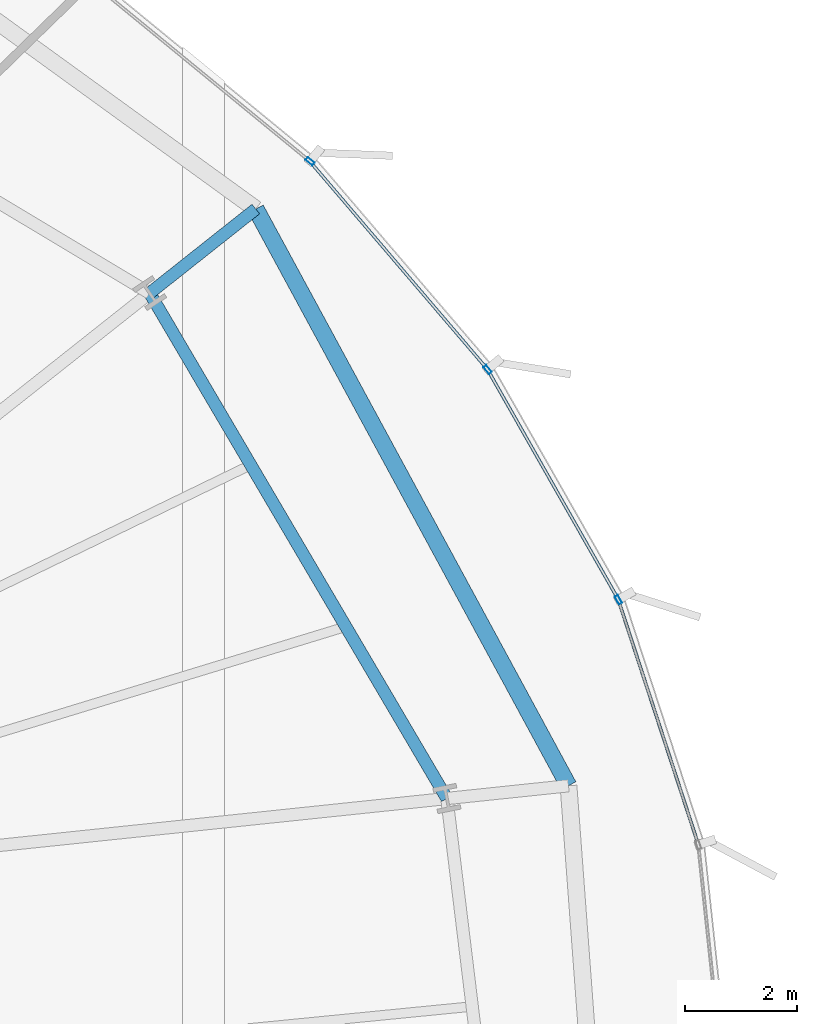
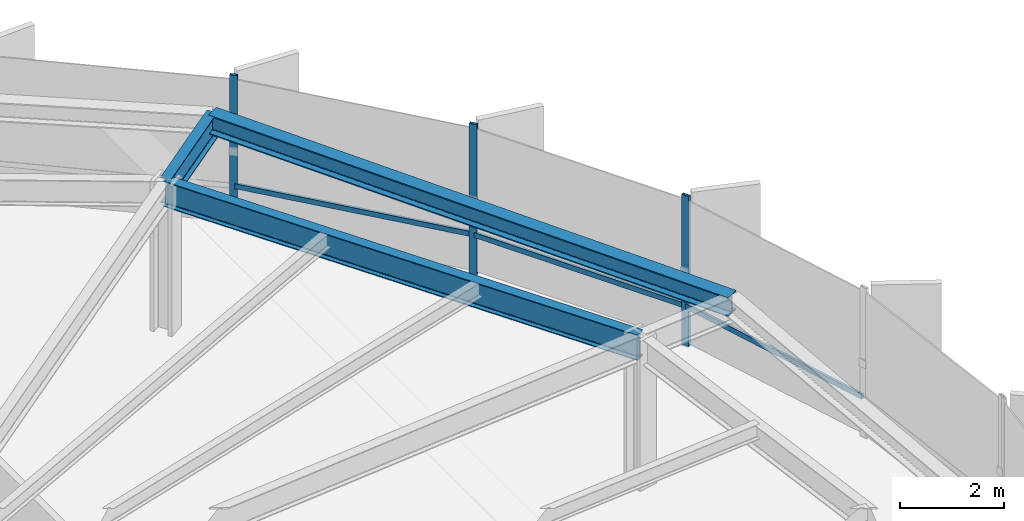
# One storey, part 25 of 38: 6 members, 3 beams, 1 element without a shape of its own.
"""IFC4 building model written with IfcOpenShell, lengths in metres."""

from ifc_helpers import new_model, si_unit, direction, frame, origin, origin_2d, place, context, subcontext, project, spatial, hollow_rectangle, i_section, extrude, source, transform, mapped, material, layer, layer_set, material_profile, profile_set, type_object, element, aggregate, save


model = new_model("IFC4")

# Units and contexts
model_context = context("Model", 3, precision=1e-05, world=origin(), true_north=direction((0.0, 1.0)))
body_context = subcontext(model_context, "Body", "Model", "MODEL_VIEW")
ifc_project = project(units=[si_unit("LENGTHUNIT", "METRE"), si_unit("AREAUNIT", "SQUARE_METRE"), si_unit("VOLUMEUNIT", "CUBIC_METRE"), si_unit("PLANEANGLEUNIT", "RADIAN"), si_unit("MASSUNIT", "GRAM", prefix="KILO"), si_unit("THERMODYNAMICTEMPERATUREUNIT", "KELVIN")], contexts=[model_context])

# Site, building, storey
site_placement = place(None, origin())
site = spatial("IfcSite", under=ifc_project, at=site_placement, CompositionType="ELEMENT")
building_placement = place(site_placement, origin())
building = spatial("IfcBuilding", under=site, at=building_placement, Name="Kethvar Cultural Tower", CompositionType="ELEMENT")
storey_placement = place(building_placement, frame((0.0, 0.0, 29.60009765625)))
storey = spatial("IfcBuildingStorey", under=building, at=storey_placement, Name="L06", CompositionType="ELEMENT", Elevation=29.60009765625)

# Beams
ifc_material_1 = material(Name="Steel S355J2", Category="steel")
ifc_material_profile_1 = material_profile(ifc_material_1, i_section(OverallWidth=0.219970703125, OverallDepth=0.60009765625, WebThickness=0.011962890625, FlangeThickness=0.01904296875, FilletRadius=0.02392578125, at=origin_2d()), Name="Steel S355J2 — IPE600")
ifc_profile_set_1 = profile_set([ifc_material_profile_1], Name="Steel S355J2 — IPE600")
beam_type_1 = type_object("IfcBeamType", Name="BM-IPE600", PredefinedType="BEAM", material=ifc_profile_set_1)
shared_shape_1 = source(origin(), body_context, "Body", "SweptSolid", [
    extrude(i_section(OverallWidth=0.219970703125, OverallDepth=0.60009765625, WebThickness=0.011962890625, FlangeThickness=0.01904296875, FilletRadius=0.02392578125, at=origin_2d()), origin(), (0.0, 0.0, 1.0), 2.424072265625),
])
beam_1_placement = place(storey_placement, frame((68.33642578125, 42.190185546875, 3.247802734375), z_axis=(0.783876286289, 0.620917037771, 0.0), x_axis=(-0.620917037771, 0.783876286289, 0.0)))
element("IfcBeam", 1, at=beam_1_placement, inside=storey, type_object=beam_type_1, Name="L06 Perimeter Cantilever Beam RC-02", PredefinedType="BEAM", context=body_context, shape_type="MappedRepresentation", body=[
    mapped(shared_shape_1, transform((0.0, 0.0, 0.0), scale=1.0)),
])
shared_shape_2 = source(origin(), body_context, "Body", "SweptSolid", [
    extrude(i_section(OverallWidth=0.219970703125, OverallDepth=0.60009765625, WebThickness=0.011962890625, FlangeThickness=0.01904296875, FilletRadius=0.02392578125, at=origin_2d()), origin(), (0.0, 0.0, 1.0), 10.496337890625),
])
beam_2_placement = place(storey_placement, frame((73.65673828125, 33.14208984375, 3.247802734375), z_axis=(-0.506871712474, 0.862021500366, 0.0), x_axis=(-0.862021500366, -0.506871712474, 0.0)))
element("IfcBeam", 2, at=beam_2_placement, inside=storey, type_object=beam_type_1, Name="L06 Column Ring Tie Beam CR-01", PredefinedType="BEAM", context=body_context, shape_type="MappedRepresentation", body=[
    mapped(shared_shape_2, transform((0.0, 0.0, 0.0), scale=1.0)),
])
ifc_material_profile_2 = material_profile(ifc_material_1, i_section(OverallWidth=0.300048828125, OverallDepth=0.449951171875, WebThickness=0.013916015625, FlangeThickness=0.02587890625, FilletRadius=0.027099609375, at=origin_2d()), Name="Steel S355J2 — HEB450")
ifc_profile_set_2 = profile_set([ifc_material_profile_2], Name="Steel S355J2 — HEB450")
beam_type_2 = type_object("IfcBeamType", Name="BM-SP450", PredefinedType="SPANDREL", material=ifc_profile_set_2)
shared_shape_3 = source(origin(), body_context, "Body", "SweptSolid", [
    extrude(i_section(OverallWidth=0.300048828125, OverallDepth=0.449951171875, WebThickness=0.013916015625, FlangeThickness=0.02587890625, FilletRadius=0.027099609375, at=origin_2d()), origin(), (0.0, 0.0, 1.0), 11.74462890625),
])
beam_3_placement = place(storey_placement, frame((75.834228515625, 33.370361328125, 3.322998046875), z_axis=(-0.47661057783, 0.879114530138, 0.0), x_axis=(-0.879114530138, -0.47661057783, 0.0)))
element("IfcBeam", 3, at=beam_3_placement, inside=storey, type_object=beam_type_2, Name="L06 Perimeter Spandrel Beam SP-01", PredefinedType="SPANDREL", context=body_context, shape_type="MappedRepresentation", body=[
    mapped(shared_shape_3, transform((0.0, 0.0, 0.0), scale=1.0)),
])

# Curtain wall, members
ifc_material_2 = material(Name="Aluminium 6063-T6", Category="aluminium")
ifc_layer = layer(ifc_material_2, 0.179931640625, Name="Aluminium 6063-T6", Category="aluminium")
ifc_layer_set = layer_set([ifc_layer], Name="Aluminium 6063-T6 (180 mm)")
curtain_wall_type = type_object("IfcCurtainWallType", Name="CW-SYS-02-Z1", PredefinedType="NOTDEFINED", material=ifc_layer_set)
curtain_wall_placement = place(storey_placement, origin())
curtain_wall = element("IfcCurtainWall", 4, at=curtain_wall_placement, inside=storey, type_object=curtain_wall_type, Name="L06 Curtain Wall Run 01", PredefinedType="NOTDEFINED")
ifc_material_profile_3 = material_profile(ifc_material_2, hollow_rectangle(XDim=0.06494140625, YDim=0.159912109375, WallThickness=0.0048828125, at=origin_2d()), Name="Aluminium 6063-T6 — RHS160x65x5")
ifc_profile_set_3 = profile_set([ifc_material_profile_3], Name="Aluminium 6063-T6 — RHS160x65x5")
member_type_1 = type_object("IfcMemberType", Name="CW-SYS-02-Z1-MUL", PredefinedType="MULLION", material=ifc_profile_set_3)
shared_shape_4 = source(origin(), body_context, "Body", "SweptSolid", [
    extrude(hollow_rectangle(XDim=0.06494140625, YDim=0.159912109375, WallThickness=0.0048828125, at=origin_2d()), origin(), (0.0, 0.0, 1.0), 3.5498046875),
])
member_1_placement = place(storey_placement, frame((76.728271484375, 36.70166015625, 0.0), z_axis=(0.0, 0.0, 1.0), x_axis=(-0.869218924729, -0.494427407101, 0.0)))
member_1 = element("IfcMember", 5, at=member_1_placement, type_object=member_type_1, Name="CW-L06-R01 Mullion 3", PredefinedType="MULLION", context=body_context, shape_type="MappedRepresentation", body=[
    mapped(shared_shape_4, transform((0.0, 0.0, 0.0), scale=1.0)),
])
member_2_placement = place(storey_placement, frame((74.386962890625, 40.822021484375, 0.0), z_axis=(0.0, 0.0, 1.0), x_axis=(-0.760371959537, -0.649487862203, 0.0)))
member_2 = element("IfcMember", 6, at=member_2_placement, type_object=member_type_1, Name="CW-L06-R01 Mullion 4", PredefinedType="MULLION", context=body_context, shape_type="MappedRepresentation", body=[
    mapped(shared_shape_4, transform((0.0, 0.0, 0.0), scale=1.0)),
])
member_3_placement = place(storey_placement, frame((71.206787109375, 44.548095703125, 0.0), z_axis=(0.0, 0.0, 1.0), x_axis=(-0.633988449894, -0.773342514932, 0.0)))
member_3 = element("IfcMember", 7, at=member_3_placement, type_object=member_type_1, Name="CW-L06-R01 Mullion 5", PredefinedType="MULLION", context=body_context, shape_type="MappedRepresentation", body=[
    mapped(shared_shape_4, transform((0.0, 0.0, 0.0), scale=1.0)),
])
ifc_material_profile_4 = material_profile(ifc_material_2, hollow_rectangle(XDim=0.054931640625, YDim=0.1201171875, WallThickness=0.00390625, at=origin_2d()), Name="Aluminium 6063-T6 — RHS120x55x4")
ifc_profile_set_4 = profile_set([ifc_material_profile_4], Name="Aluminium 6063-T6 — RHS120x55x4")
member_type_2 = type_object("IfcMemberType", Name="CW-SYS-02-Z1-TRN", PredefinedType="USERDEFINED", material=ifc_profile_set_4)
shared_shape_5 = source(origin(), body_context, "Body", "SweptSolid", [
    extrude(hollow_rectangle(XDim=0.054931640625, YDim=0.1201171875, WallThickness=0.00390625, at=origin_2d()), origin(), (0.0, 0.0, 1.0), 4.547607421875),
])
member_4_placement = place(storey_placement, frame((78.14599609375, 32.356689453125, 0.949951171875), z_axis=(-0.310681958797, 0.9505139244, 0.0), x_axis=(-0.9505139244, -0.310681958797, 0.0)))
member_4 = element("IfcMember", 8, at=member_4_placement, type_object=member_type_2, Name="CW-L06-R01 Transom 2", ObjectType="TRANSOM", PredefinedType="USERDEFINED", context=body_context, shape_type="MappedRepresentation", body=[
    mapped(shared_shape_5, transform((0.0, 0.0, 0.0), scale=1.0)),
])
shared_shape_6 = source(origin(), body_context, "Body", "SweptSolid", [
    extrude(hollow_rectangle(XDim=0.054931640625, YDim=0.1201171875, WallThickness=0.00390625, at=origin_2d()), origin(), (0.0, 0.0, 1.0), 4.66845703125),
])
member_5_placement = place(storey_placement, frame((76.705078125, 36.7421875, 0.949951171875), z_axis=(-0.494414578096, 0.869226221973, 0.0), x_axis=(-0.869226221973, -0.494414578096, 0.0)))
member_5 = element("IfcMember", 9, at=member_5_placement, type_object=member_type_2, Name="CW-L06-R01 Transom 3", ObjectType="TRANSOM", PredefinedType="USERDEFINED", context=body_context, shape_type="MappedRepresentation", body=[
    mapped(shared_shape_6, transform((0.0, 0.0, 0.0), scale=1.0)),
])
shared_shape_7 = source(origin(), body_context, "Body", "SweptSolid", [
    extrude(hollow_rectangle(XDim=0.054931640625, YDim=0.1201171875, WallThickness=0.00390625, at=origin_2d()), origin(), (0.0, 0.0, 1.0), 4.826416015625),
])
member_6_placement = place(storey_placement, frame((74.356689453125, 40.857666015625, 0.949951171875), z_axis=(-0.649490724394, 0.760369514727, 0.0), x_axis=(-0.760369514727, -0.649490724394, 0.0)))
member_6 = element("IfcMember", 10, at=member_6_placement, type_object=member_type_2, Name="CW-L06-R01 Transom 4", ObjectType="TRANSOM", PredefinedType="USERDEFINED", context=body_context, shape_type="MappedRepresentation", body=[
    mapped(shared_shape_7, transform((0.0, 0.0, 0.0), scale=1.0)),
])
aggregate(curtain_wall, [member_1, member_2, member_3, member_4, member_5, member_6])

save(model, "model.ifc")
